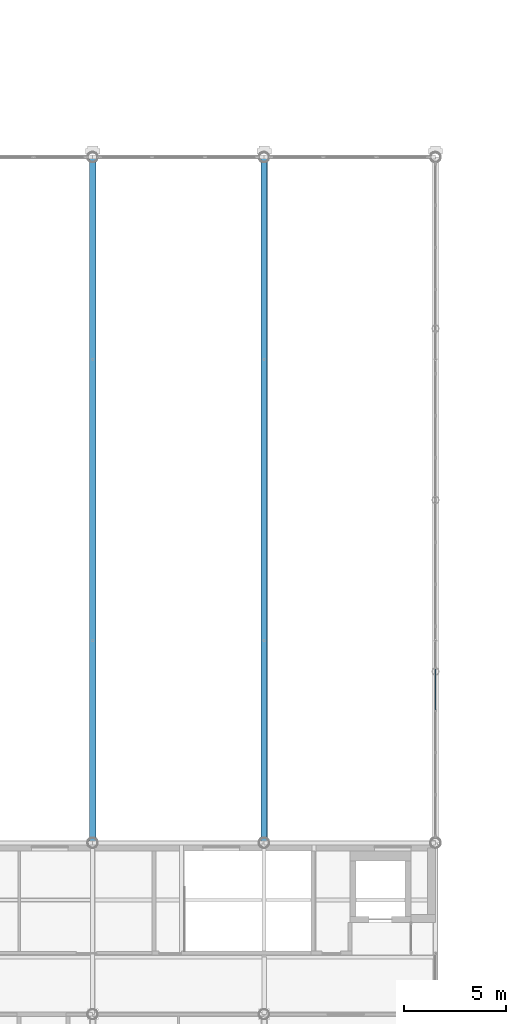
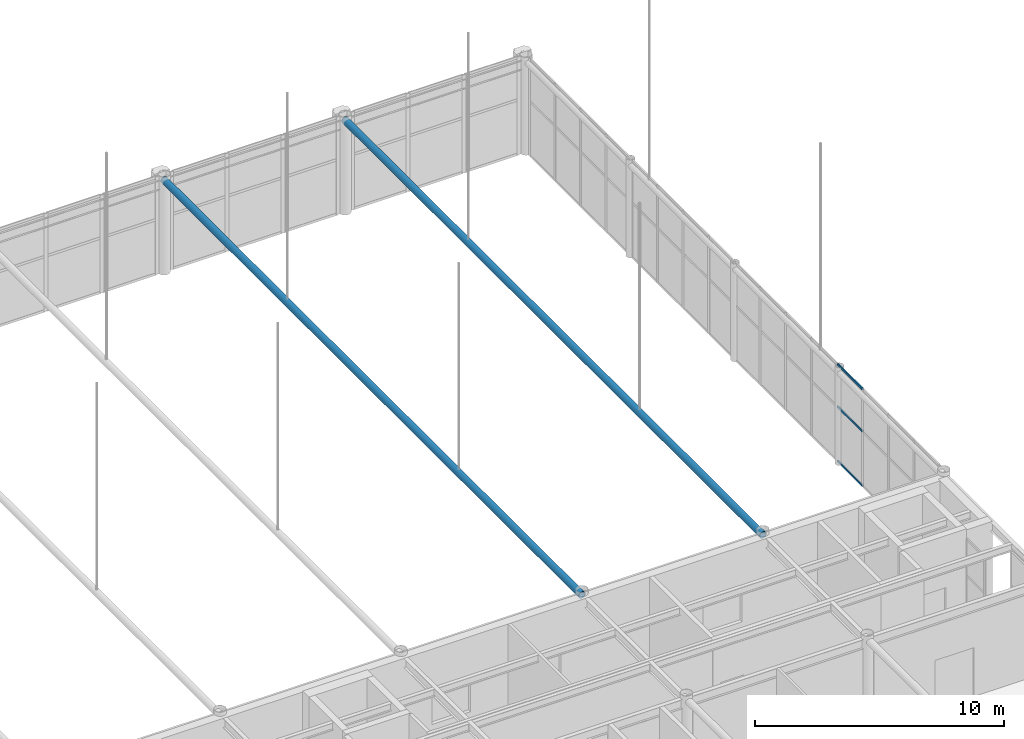
# One storey, part 109 of 167: 3 members, 2 beams, 1 element without a shape of its own.
"""IFC4 building model written with IfcOpenShell, lengths in metres."""

from ifc_helpers import new_model, si_unit, direction, frame, origin, origin_2d, place, context, subcontext, project, spatial, hollow_rectangle, hollow_circle, extrude, material, material_profile, profile_set, type_object, element, aggregate, save


model = new_model("IFC4")

# Units and contexts
model_context = context("Model", 3, precision=1e-05, world=origin(), true_north=direction((0.0, 1.0)))
body_context = subcontext(model_context, "Body", "Model", "MODEL_VIEW")
ifc_project = project(units=[si_unit("LENGTHUNIT", "METRE"), si_unit("AREAUNIT", "SQUARE_METRE"), si_unit("VOLUMEUNIT", "CUBIC_METRE"), si_unit("PLANEANGLEUNIT", "RADIAN"), si_unit("MASSUNIT", "GRAM", prefix="KILO")], contexts=[model_context])

# Site, building, storey
site_placement = place(None, origin())
site = spatial("IfcSite", under=ifc_project, at=site_placement, CompositionType="ELEMENT")
building_placement = place(site_placement, origin())
building = spatial("IfcBuilding", under=site, at=building_placement, Name="Catenary Quay Ferry Terminal", CompositionType="ELEMENT")
storey_placement = place(building_placement, frame((0.0, 0.0, 6.0)))
storey = spatial("IfcBuildingStorey", under=building, at=storey_placement, Name="L01", CompositionType="ELEMENT", Elevation=6.0)

# Beams
ifc_material_1 = material(Name="Steel S355", Category="steel")
ifc_material_profile_1 = material_profile(ifc_material_1, hollow_circle(Radius=0.161865234375, WallThickness=0.01611328125, at=origin_2d()), Name="CHS 323.9x16")
ifc_profile_set_1 = profile_set([ifc_material_profile_1], Name="Steel S355")
beam_type = type_object("IfcBeamType", Name="TB3 CHS 323.9x16", PredefinedType="BEAM", material=ifc_profile_set_1)
for number, where, z_axis, x_axis, name in (
    (1, (75.60009765625, 109.199951171875, 4.5), (0.0, 1.0, 0.0), (-1.0, 0.0, 0.0), "Vault tie beam VD-07"),
    (2, (84.0, 109.199951171875, 4.5), (0.0, 1.0, 0.0), (-1.0, 0.0, 0.0), "Vault tie beam VD-08"),
):
    element("IfcBeam", number, at=place(storey_placement, frame(where, z_axis=z_axis, x_axis=x_axis)), inside=storey, type_object=beam_type, Name=name, PredefinedType="BEAM", context=body_context, shape_type="SweptSolid", body=[
        extrude(hollow_circle(Radius=0.161865234375, WallThickness=0.01611328125, at=origin_2d()), origin(), (0.0, 0.0, 1.0), 33.60009765625),
    ])

# Curtain wall, members
ifc_material_2 = material(Name="Aluminium and glass", Category="aluminium")
curtain_wall_type = type_object("IfcCurtainWallType", Name="CWG", PredefinedType="NOTDEFINED", material=ifc_material_2)
curtain_wall_placement = place(storey_placement, origin())
curtain_wall = element("IfcCurtainWall", 3, at=curtain_wall_placement, inside=storey, type_object=curtain_wall_type, Name="Gable departure hall curtain wall CW20", PredefinedType="NOTDEFINED")
ifc_material_3 = material(Name="Aluminium", Category="aluminium")
ifc_material_profile_2 = material_profile(ifc_material_3, hollow_rectangle(XDim=0.06005859375, YDim=0.10009765625, WallThickness=0.0048828125, at=origin_2d()), Name="TR2")
ifc_profile_set_2 = profile_set([ifc_material_profile_2], Name="Aluminium")
member_type = type_object("IfcMemberType", Name="TR2", PredefinedType="USERDEFINED", material=ifc_profile_set_2)
member_1_placement = place(storey_placement, frame((92.39990234375, 115.717529296875, 0.030029296875), z_axis=(0.0, 1.0, 0.0), x_axis=(-1.0, 0.0, 0.0)))
member_1 = element("IfcMember", 4, at=member_1_placement, type_object=member_type, Name="CW20 transom 4.1", ObjectType="TRANSOM", PredefinedType="USERDEFINED", context=body_context, shape_type="SweptSolid", body=[
    extrude(hollow_rectangle(XDim=0.06005859375, YDim=0.10009765625, WallThickness=0.0048828125, at=origin_2d()), origin(), (0.0, 0.0, 1.0), 2.00244140625),
])
member_2_placement = place(storey_placement, frame((92.39990234375, 115.717529296875, 2.699951171875), z_axis=(0.0, 1.0, 0.0), x_axis=(-1.0, 0.0, 0.0)))
member_2 = element("IfcMember", 5, at=member_2_placement, type_object=member_type, Name="CW20 transom 4.2", ObjectType="TRANSOM", PredefinedType="USERDEFINED", context=body_context, shape_type="SweptSolid", body=[
    extrude(hollow_rectangle(XDim=0.06005859375, YDim=0.10009765625, WallThickness=0.0048828125, at=origin_2d()), origin(), (0.0, 0.0, 1.0), 2.00244140625),
])
member_3_placement = place(storey_placement, frame((92.39990234375, 115.717529296875, 4.77001953125), z_axis=(0.0, 1.0, 0.0), x_axis=(-1.0, 0.0, 0.0)))
member_3 = element("IfcMember", 6, at=member_3_placement, type_object=member_type, Name="CW20 transom 4.3", ObjectType="TRANSOM", PredefinedType="USERDEFINED", context=body_context, shape_type="SweptSolid", body=[
    extrude(hollow_rectangle(XDim=0.06005859375, YDim=0.10009765625, WallThickness=0.0048828125, at=origin_2d()), origin(), (0.0, 0.0, 1.0), 2.00244140625),
])
aggregate(curtain_wall, [member_1, member_2, member_3])

save(model, "model.ifc")
